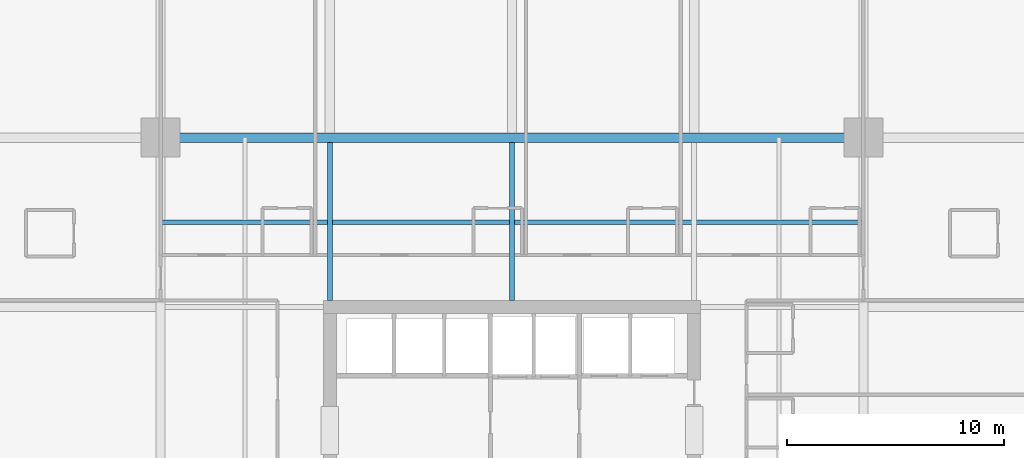
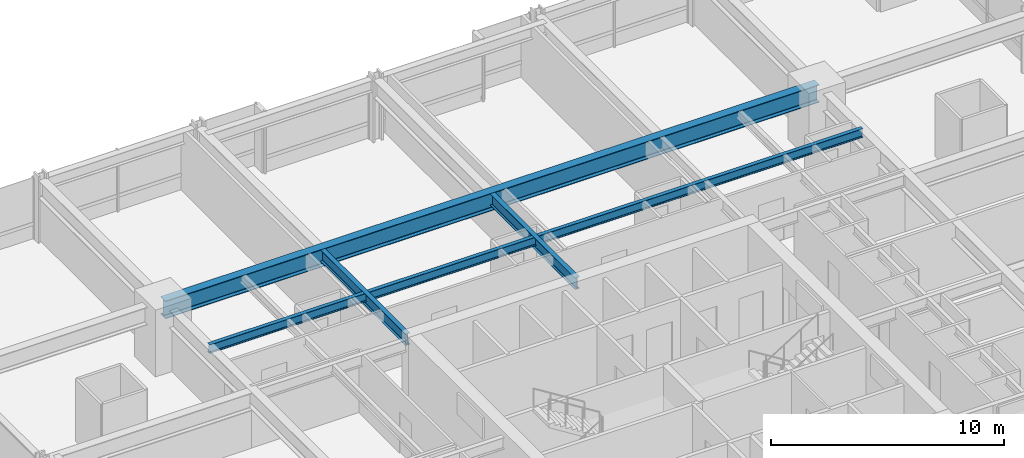
# One storey, part 20 of 38: 4 beams.
"""IFC4 building model written with IfcOpenShell, lengths in metres."""

from ifc_helpers import new_model, si_unit, direction, frame, origin, origin_2d, place, context, subcontext, project, spatial, i_section, extrude, material, material_profile, profile_set, type_object, element, save


model = new_model("IFC4")

# Units and contexts
model_context = context("Model", 3, precision=1e-05, world=origin(), true_north=direction((0.0, 1.0)))
body_context = subcontext(model_context, "Body", "Model", "MODEL_VIEW")
ifc_project = project(units=[si_unit("LENGTHUNIT", "METRE"), si_unit("AREAUNIT", "SQUARE_METRE"), si_unit("VOLUMEUNIT", "CUBIC_METRE"), si_unit("PLANEANGLEUNIT", "RADIAN"), si_unit("MASSUNIT", "GRAM", prefix="KILO")], contexts=[model_context])

# Site, building, storey
site_placement = place(None, origin())
site = spatial("IfcSite", under=ifc_project, at=site_placement, CompositionType="ELEMENT")
building_placement = place(site_placement, origin())
building = spatial("IfcBuilding", under=site, at=building_placement, Name="Drelvath Grand Hotel", CompositionType="ELEMENT")
storey_placement = place(building_placement, frame((0.0, 0.0, 50.699951171875)))
storey = spatial("IfcBuildingStorey", under=building, at=storey_placement, Name="L11", CompositionType="ELEMENT", Elevation=50.699951171875)

# Beams
ifc_material = material(Name="Steel ASTM A992 Gr 50", Category="steel")
ifc_material_profile_1 = material_profile(ifc_material, i_section(OverallWidth=0.19140625, OverallDepth=0.4599609375, WebThickness=0.010009765625, FlangeThickness=0.01611328125, FilletRadius=0.01611328125, at=origin_2d()), Name="W18X55")
ifc_profile_set_1 = profile_set([ifc_material_profile_1], Name="Steel ASTM A992 Gr 50")
beam_type_1 = type_object("IfcBeamType", Name="Composite Floor Joist W18X55", PredefinedType="JOIST", material=ifc_profile_set_1)
beam_1_placement = place(storey_placement, frame((-16.199951171875, 39.300048828125, 3.010009765625), z_axis=(1.0, 0.0, 0.0), x_axis=(0.0, 1.0, 0.0)))
element("IfcBeam", 1, at=beam_1_placement, inside=storey, type_object=beam_type_1, Name="L11 Floor Joist J2", PredefinedType="JOIST", context=body_context, shape_type="SweptSolid", body=[
    extrude(i_section(OverallWidth=0.19140625, OverallDepth=0.4599609375, WebThickness=0.010009765625, FlangeThickness=0.01611328125, FilletRadius=0.01611328125, at=origin_2d()), origin(), (0.0, 0.0, 1.0), 32.39990234375),
])
ifc_material_profile_2 = material_profile(ifc_material, i_section(OverallWidth=0.228271484375, OverallDepth=0.607666015625, WebThickness=0.01123046875, FlangeThickness=0.017333984375, FilletRadius=0.02001953125, at=origin_2d()), Name="W24X76")
ifc_profile_set_2 = profile_set([ifc_material_profile_2], Name="Steel ASTM A992 Gr 50")
beam_type_2 = type_object("IfcBeamType", Name="Primary Floor Girder W24X76", PredefinedType="BEAM", material=ifc_profile_set_2)
for number, where, z_axis, x_axis, name in (
    (2, (-8.39990234375, 35.699951171875, 2.936279296875), (0.0, 1.0, 0.0), (-1.0, 0.0, 0.0), "L11 North Core Tie 4"),
    (3, (0.0, 35.699951171875, 2.936279296875), (0.0, 1.0, 0.0), (-1.0, 0.0, 0.0), "L11 North Core Tie 5"),
):
    element("IfcBeam", number, at=place(storey_placement, frame(where, z_axis=z_axis, x_axis=x_axis)), inside=storey, type_object=beam_type_2, Name=name, PredefinedType="BEAM", context=body_context, shape_type="SweptSolid", body=[
        extrude(i_section(OverallWidth=0.228271484375, OverallDepth=0.607666015625, WebThickness=0.01123046875, FlangeThickness=0.017333984375, FilletRadius=0.02001953125, at=origin_2d()), origin(), (0.0, 0.0, 1.0), 7.290771484375),
    ])
ifc_material_profile_3 = material_profile(ifc_material, i_section(OverallWidth=0.418212890625, OverallDepth=0.926513671875, WebThickness=0.019287109375, FlangeThickness=0.031982421875, FilletRadius=0.028076171875, at=origin_2d()), Name="W36X231")
ifc_profile_set_3 = profile_set([ifc_material_profile_3], Name="Steel ASTM A992 Gr 50")
beam_type_3 = type_object("IfcBeamType", Name="Primary Floor Girder W36X231", PredefinedType="BEAM", material=ifc_profile_set_3)
beam_2_placement = place(storey_placement, frame((-16.199951171875, 43.199951171875, 2.77685546875), z_axis=(1.0, 0.0, 0.0), x_axis=(0.0, 1.0, 0.0)))
element("IfcBeam", 4, at=beam_2_placement, inside=storey, type_object=beam_type_3, Name="L11 Mega Ring Girder North", PredefinedType="BEAM", context=body_context, shape_type="SweptSolid", body=[
    extrude(i_section(OverallWidth=0.418212890625, OverallDepth=0.926513671875, WebThickness=0.019287109375, FlangeThickness=0.031982421875, FilletRadius=0.028076171875, at=origin_2d()), origin(), (0.0, 0.0, 1.0), 32.39990234375),
])

save(model, "model.ifc")
